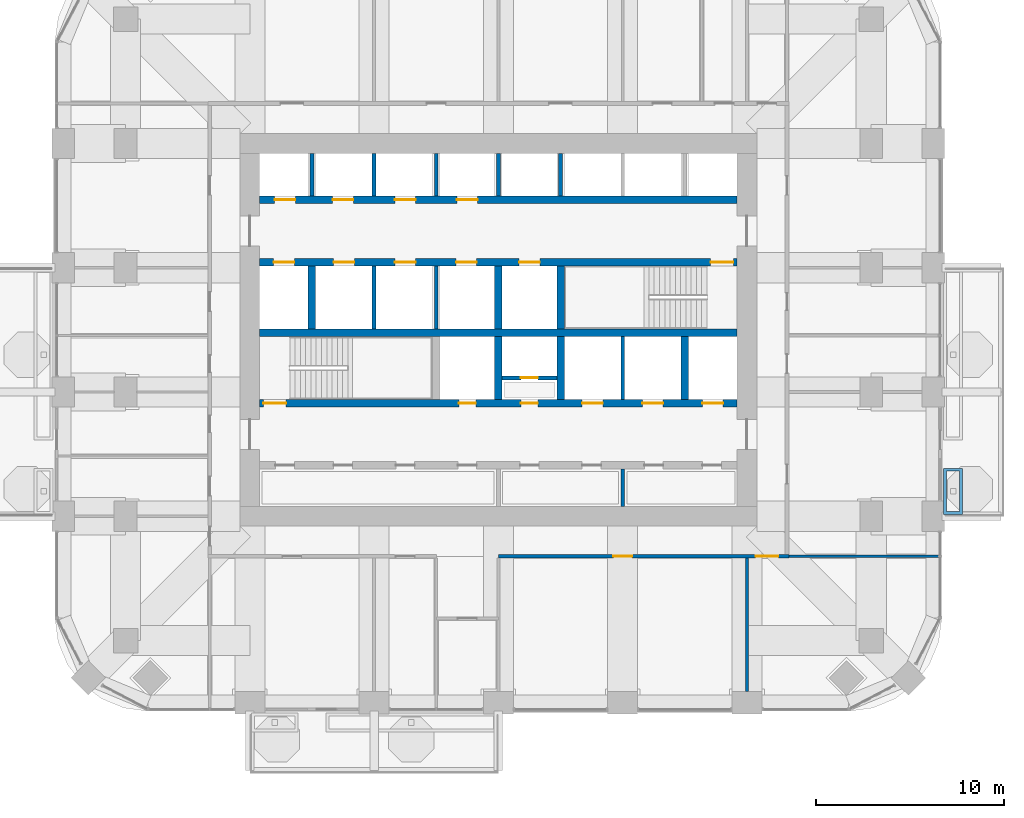
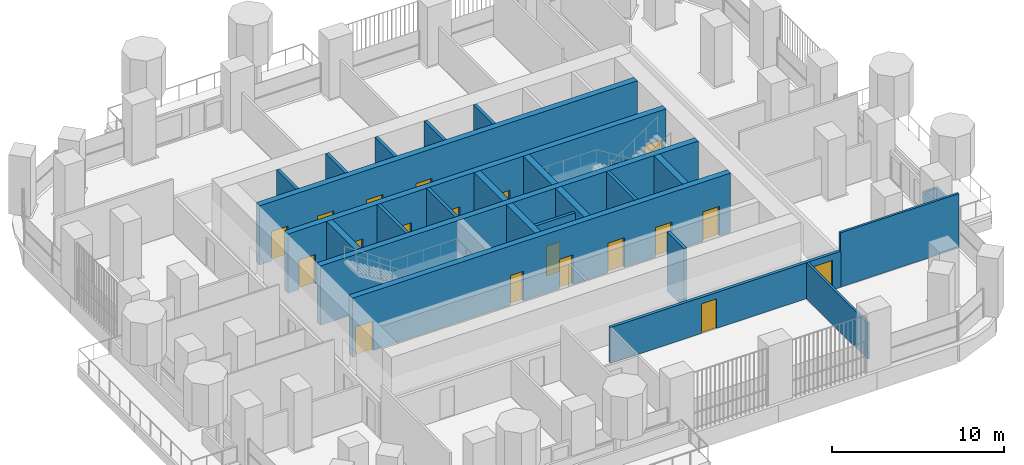
# One storey, part 13 of 20: 24 walls, 19 doors, 19 openings.
"""IFC4 building model written with IfcOpenShell, lengths in metres."""

from ifc_helpers import new_model, si_unit, direction, frame, frame_2d, origin, place, context, subcontext, project, spatial, polyline, rectangle, outline, extrude, material, layer, layer_set, type_object, element, fill, save


model = new_model("IFC4")

# Units and contexts
model_context = context("Model", 3, precision=1e-05, world=origin(), true_north=direction((0.0, 1.0)))
body_context = subcontext(model_context, "Body", "Model", "MODEL_VIEW")
ifc_project = project(units=[si_unit("LENGTHUNIT", "METRE"), si_unit("AREAUNIT", "SQUARE_METRE"), si_unit("VOLUMEUNIT", "CUBIC_METRE"), si_unit("PLANEANGLEUNIT", "RADIAN"), si_unit("MASSUNIT", "GRAM", prefix="KILO")], contexts=[model_context])

# Site, building, storey
site_placement = place(None, origin())
site = spatial("IfcSite", under=ifc_project, at=site_placement, CompositionType="ELEMENT")
building_placement = place(site_placement, origin())
building = spatial("IfcBuilding", under=site, at=building_placement, Name="Cobogo Forest Laboratory Tower", CompositionType="ELEMENT")
storey_placement = place(building_placement, frame((0.0, 0.0, 218.699951171875)))
storey = spatial("IfcBuildingStorey", under=building, at=storey_placement, Name="L50", CompositionType="ELEMENT", Elevation=218.699951171875)

# Wall, openings, doors
ifc_material_1 = material(Name="Concrete HA-50 (C50/60)", Category="concrete")
ifc_layer_1 = layer(ifc_material_1, 0.39990234375)
ifc_layer_set_1 = layer_set([ifc_layer_1], Name="CI400 core inner wall 400")
wall_type_1 = type_object("IfcWallType", Name="CI400 core inner wall 400", PredefinedType="SHEAR", material=ifc_layer_set_1)
wall_1_placement = place(storey_placement, frame((13.72509765625, 19.199951171875, 0.0), z_axis=(0.0, 0.0, 1.0), x_axis=(1.0, 0.0, 0.0)))
wall_1 = element("IfcWall", 1, at=wall_1_placement, inside=storey, type_object=wall_type_1, Name="Core wall CI-19.2 L50", PredefinedType="SHEAR", context=body_context, shape_type="SweptSolid", body=[
    extrude(rectangle(XDim=25.349853515625, YDim=0.39990234375, at=frame_2d((12.6748046875, 0.0))), origin(), (0.0, 0.0, 1.0), 4.199951171875),
])
opening_1_placement = place(wall_1_placement, frame((10.574951171875, 0.0, 0.0)))
opening_1 = element("IfcOpeningElement", 2, at=opening_1_placement, cuts=wall_1, Name="Opening L50-D24", PredefinedType="OPENING", context=body_context, shape_type="SweptSolid", body=[
    extrude(rectangle(XDim=0.89990234375, YDim=2.10009765625, at=frame_2d((0.449951171875, 1.050048828125))), frame((0.0, 0.2099609375, 0.0), z_axis=(0.0, -1.0, 0.0), x_axis=(1.0, 0.0, 0.0)), (0.0, 0.0, 1.0), 0.419921875),
])
opening_2_placement = place(wall_1_placement, frame((13.875, 0.0, 0.0)))
opening_2 = element("IfcOpeningElement", 3, at=opening_2_placement, cuts=wall_1, Name="Opening L50-D25", PredefinedType="OPENING", context=body_context, shape_type="SweptSolid", body=[
    extrude(rectangle(XDim=0.89990234375, YDim=2.10009765625, at=frame_2d((0.449951171875, 1.050048828125))), frame((0.0, 0.2099609375, 0.0), z_axis=(0.0, -1.0, 0.0), x_axis=(1.0, 0.0, 0.0)), (0.0, 0.0, 1.0), 0.419921875),
])
opening_3_placement = place(wall_1_placement, frame((0.199951171875, 0.0, 0.0)))
opening_3 = element("IfcOpeningElement", 4, at=opening_3_placement, cuts=wall_1, Name="Opening L50-D23", PredefinedType="OPENING", context=body_context, shape_type="SweptSolid", body=[
    extrude(rectangle(XDim=1.199951171875, YDim=2.10009765625, at=frame_2d((0.60009765625, 1.050048828125))), frame((0.0, 0.2099609375, 0.0), z_axis=(0.0, -1.0, 0.0), x_axis=(1.0, 0.0, 0.0)), (0.0, 0.0, 1.0), 0.419921875),
])
opening_4_placement = place(wall_1_placement, frame((23.512451171875, 0.0, 0.0)))
opening_4 = element("IfcOpeningElement", 5, at=opening_4_placement, cuts=wall_1, Name="Opening L50-LD-FL2", PredefinedType="OPENING", context=body_context, shape_type="SweptSolid", body=[
    extrude(rectangle(XDim=1.10009765625, YDim=2.10009765625, at=frame_2d((0.550048828125, 1.050048828125))), frame((0.0, 0.2099609375, 0.0), z_axis=(0.0, -1.0, 0.0), x_axis=(1.0, 0.0, 0.0)), (0.0, 0.0, 1.0), 0.419921875),
])
opening_5_placement = place(wall_1_placement, frame((17.125, 0.0, 0.0)))
opening_5 = element("IfcOpeningElement", 6, at=opening_5_placement, cuts=wall_1, Name="Opening L50-LD-LS1", PredefinedType="OPENING", context=body_context, shape_type="SweptSolid", body=[
    extrude(rectangle(XDim=1.10009765625, YDim=2.10009765625, at=frame_2d((0.550048828125, 1.050048828125))), frame((0.0, 0.2099609375, 0.0), z_axis=(0.0, -1.0, 0.0), x_axis=(1.0, 0.0, 0.0)), (0.0, 0.0, 1.0), 0.419921875),
])
opening_6_placement = place(wall_1_placement, frame((20.324951171875, 0.0, 0.0)))
opening_6 = element("IfcOpeningElement", 7, at=opening_6_placement, cuts=wall_1, Name="Opening L50-LD-LS2", PredefinedType="OPENING", context=body_context, shape_type="SweptSolid", body=[
    extrude(rectangle(XDim=1.10009765625, YDim=2.10009765625, at=frame_2d((0.550048828125, 1.050048828125))), frame((0.0, 0.2099609375, 0.0), z_axis=(0.0, -1.0, 0.0), x_axis=(1.0, 0.0, 0.0)), (0.0, 0.0, 1.0), 0.419921875),
])
ifc_material_2 = material(Name="Steel fire door", Category="steel")
door_type_1 = type_object("IfcDoorType", Name="DS1 protected stair door 1200 EI2 60", OperationType="SINGLE_SWING_LEFT", PredefinedType="DOOR", material=ifc_material_2)
door_1_placement = place(opening_3_placement, origin())
door_1 = element("IfcDoor", 8, at=door_1_placement, inside=storey, type_object=door_type_1, Name="Door L50-ST1", OperationType="SINGLE_SWING_LEFT", OverallHeight=2.10009765625, OverallWidth=1.199951171875, PredefinedType="DOOR", context=body_context, shape_type="SweptSolid", body=[
    extrude(rectangle(XDim=1.199951171875, YDim=2.10009765625, at=frame_2d((0.60009765625, 1.050048828125))), frame((0.0, 0.02490234375, 0.0), z_axis=(0.0, -1.0, 0.0), x_axis=(1.0, 0.0, 0.0)), (0.0, 0.0, 1.0), 0.050048828125),
])
fill(opening_3, door_1)
door_type_2 = type_object("IfcDoorType", Name="FD4 riser access door 900 EI2 60", OperationType="SINGLE_SWING_LEFT", PredefinedType="DOOR", material=ifc_material_2)
door_2_placement = place(opening_1_placement, origin())
door_2 = element("IfcDoor", 9, at=door_2_placement, inside=storey, type_object=door_type_2, Name="Door L50-R1", OperationType="SINGLE_SWING_LEFT", OverallHeight=2.10009765625, OverallWidth=0.89990234375, PredefinedType="DOOR", context=body_context, shape_type="SweptSolid", body=[
    extrude(rectangle(XDim=0.89990234375, YDim=2.10009765625, at=frame_2d((0.449951171875, 1.050048828125))), frame((0.0, 0.02490234375, 0.0), z_axis=(0.0, -1.0, 0.0), x_axis=(1.0, 0.0, 0.0)), (0.0, 0.0, 1.0), 0.050048828125),
])
fill(opening_1, door_2)
door_3_placement = place(opening_2_placement, origin())
door_3 = element("IfcDoor", 10, at=door_3_placement, inside=storey, type_object=door_type_2, Name="Door L50-R2V", OperationType="SINGLE_SWING_RIGHT", OverallHeight=2.10009765625, OverallWidth=0.89990234375, PredefinedType="DOOR", context=body_context, shape_type="SweptSolid", body=[
    extrude(rectangle(XDim=0.89990234375, YDim=2.10009765625, at=frame_2d((0.449951171875, 1.050048828125))), frame((0.0, 0.02490234375, 0.0), z_axis=(0.0, -1.0, 0.0), x_axis=(1.0, 0.0, 0.0)), (0.0, 0.0, 1.0), 0.050048828125),
])
fill(opening_2, door_3)
ifc_material_3 = material(Name="Stainless steel lift door", Category="steel")
door_type_3 = type_object("IfcDoorType", Name="LD lift landing door 1100", OperationType="DOUBLE_DOOR_SLIDING", PredefinedType="DOOR", material=ifc_material_3)
door_4_placement = place(opening_4_placement, origin())
door_4 = element("IfcDoor", 11, at=door_4_placement, inside=storey, type_object=door_type_3, Name="Lift landing door FL2 L50", OperationType="DOUBLE_DOOR_SLIDING", OverallHeight=2.10009765625, OverallWidth=1.10009765625, PredefinedType="DOOR", context=body_context, shape_type="SweptSolid", body=[
    extrude(rectangle(XDim=1.10009765625, YDim=2.10009765625, at=frame_2d((0.550048828125, 1.050048828125))), frame((0.0, 0.02490234375, 0.0), z_axis=(0.0, -1.0, 0.0), x_axis=(1.0, 0.0, 0.0)), (0.0, 0.0, 1.0), 0.050048828125),
])
fill(opening_4, door_4)
door_5_placement = place(opening_5_placement, origin())
door_5 = element("IfcDoor", 12, at=door_5_placement, inside=storey, type_object=door_type_3, Name="Lift landing door LS1 L50", OperationType="DOUBLE_DOOR_SLIDING", OverallHeight=2.10009765625, OverallWidth=1.10009765625, PredefinedType="DOOR", context=body_context, shape_type="SweptSolid", body=[
    extrude(rectangle(XDim=1.10009765625, YDim=2.10009765625, at=frame_2d((0.550048828125, 1.050048828125))), frame((0.0, 0.02490234375, 0.0), z_axis=(0.0, -1.0, 0.0), x_axis=(1.0, 0.0, 0.0)), (0.0, 0.0, 1.0), 0.050048828125),
])
fill(opening_5, door_5)
door_6_placement = place(opening_6_placement, origin())
door_6 = element("IfcDoor", 13, at=door_6_placement, inside=storey, type_object=door_type_3, Name="Lift landing door LS2 L50", OperationType="DOUBLE_DOOR_SLIDING", OverallHeight=2.10009765625, OverallWidth=1.10009765625, PredefinedType="DOOR", context=body_context, shape_type="SweptSolid", body=[
    extrude(rectangle(XDim=1.10009765625, YDim=2.10009765625, at=frame_2d((0.550048828125, 1.050048828125))), frame((0.0, 0.02490234375, 0.0), z_axis=(0.0, -1.0, 0.0), x_axis=(1.0, 0.0, 0.0)), (0.0, 0.0, 1.0), 0.050048828125),
])
fill(opening_6, door_6)

# Wall
wall_2_placement = place(storey_placement, frame((13.72509765625, 22.949951171875, 0.0), z_axis=(0.0, 0.0, 1.0), x_axis=(1.0, 0.0, 0.0)))
element("IfcWall", 14, at=wall_2_placement, inside=storey, type_object=wall_type_1, Name="Core wall CI-22.95 L50", PredefinedType="SHEAR", context=body_context, shape_type="SweptSolid", body=[
    extrude(rectangle(XDim=25.349853515625, YDim=0.39990234375, at=frame_2d((12.6748046875, 0.0))), origin(), (0.0, 0.0, 1.0), 4.199951171875),
])

# Wall, openings, doors
wall_3_placement = place(storey_placement, frame((13.72509765625, 26.699951171875, 0.0), z_axis=(0.0, 0.0, 1.0), x_axis=(1.0, 0.0, 0.0)))
wall_3 = element("IfcWall", 15, at=wall_3_placement, inside=storey, type_object=wall_type_1, Name="Core wall CI-26.7 L50", PredefinedType="SHEAR", context=body_context, shape_type="SweptSolid", body=[
    extrude(rectangle(XDim=25.349853515625, YDim=0.39990234375, at=frame_2d((12.6748046875, 0.0))), origin(), (0.0, 0.0, 1.0), 4.199951171875),
])
opening_7_placement = place(wall_3_placement, frame((23.949951171875, 0.0, 0.0)))
opening_7 = element("IfcOpeningElement", 16, at=opening_7_placement, cuts=wall_3, Name="Opening L50-D31", PredefinedType="OPENING", context=body_context, shape_type="SweptSolid", body=[
    extrude(rectangle(XDim=1.199951171875, YDim=2.10009765625, at=frame_2d((0.60009765625, 1.050048828125))), frame((0.0, 0.2099609375, 0.0), z_axis=(0.0, -1.0, 0.0), x_axis=(1.0, 0.0, 0.0)), (0.0, 0.0, 1.0), 0.419921875),
])
opening_8_placement = place(wall_3_placement, frame((0.737548828125, 0.0, 0.0)))
opening_8 = element("IfcOpeningElement", 17, at=opening_8_placement, cuts=wall_3, Name="Opening L50-LD-FL1", PredefinedType="OPENING", context=body_context, shape_type="SweptSolid", body=[
    extrude(rectangle(XDim=1.10009765625, YDim=2.10009765625, at=frame_2d((0.550048828125, 1.050048828125))), frame((0.0, 0.2099609375, 0.0), z_axis=(0.0, -1.0, 0.0), x_axis=(1.0, 0.0, 0.0)), (0.0, 0.0, 1.0), 0.419921875),
])
opening_9_placement = place(wall_3_placement, frame((3.925048828125, 0.0, 0.0)))
opening_9 = element("IfcOpeningElement", 18, at=opening_9_placement, cuts=wall_3, Name="Opening L50-LD-LS3", PredefinedType="OPENING", context=body_context, shape_type="SweptSolid", body=[
    extrude(rectangle(XDim=1.10009765625, YDim=2.10009765625, at=frame_2d((0.550048828125, 1.050048828125))), frame((0.0, 0.2099609375, 0.0), z_axis=(0.0, -1.0, 0.0), x_axis=(1.0, 0.0, 0.0)), (0.0, 0.0, 1.0), 0.419921875),
])
opening_10_placement = place(wall_3_placement, frame((7.175048828125, 0.0, 0.0)))
opening_10 = element("IfcOpeningElement", 19, at=opening_10_placement, cuts=wall_3, Name="Opening L50-LD-LS4", PredefinedType="OPENING", context=body_context, shape_type="SweptSolid", body=[
    extrude(rectangle(XDim=1.10009765625, YDim=2.10009765625, at=frame_2d((0.550048828125, 1.050048828125))), frame((0.0, 0.2099609375, 0.0), z_axis=(0.0, -1.0, 0.0), x_axis=(1.0, 0.0, 0.0)), (0.0, 0.0, 1.0), 0.419921875),
])
opening_11_placement = place(wall_3_placement, frame((10.425048828125, 0.0, 0.0)))
opening_11 = element("IfcOpeningElement", 20, at=opening_11_placement, cuts=wall_3, Name="Opening L50-LD-LS5", PredefinedType="OPENING", context=body_context, shape_type="SweptSolid", body=[
    extrude(rectangle(XDim=1.10009765625, YDim=2.10009765625, at=frame_2d((0.550048828125, 1.050048828125))), frame((0.0, 0.2099609375, 0.0), z_axis=(0.0, -1.0, 0.0), x_axis=(1.0, 0.0, 0.0)), (0.0, 0.0, 1.0), 0.419921875),
])
opening_12_placement = place(wall_3_placement, frame((13.77490234375, 0.0, 0.0)))
opening_12 = element("IfcOpeningElement", 21, at=opening_12_placement, cuts=wall_3, Name="Opening L50-LD-LS6", PredefinedType="OPENING", context=body_context, shape_type="SweptSolid", body=[
    extrude(rectangle(XDim=1.10009765625, YDim=2.10009765625, at=frame_2d((0.550048828125, 1.050048828125))), frame((0.0, 0.2099609375, 0.0), z_axis=(0.0, -1.0, 0.0), x_axis=(1.0, 0.0, 0.0)), (0.0, 0.0, 1.0), 0.419921875),
])
door_7_placement = place(opening_7_placement, origin())
door_7 = element("IfcDoor", 22, at=door_7_placement, inside=storey, type_object=door_type_1, Name="Door L50-ST2", OperationType="SINGLE_SWING_RIGHT", OverallHeight=2.10009765625, OverallWidth=1.199951171875, PredefinedType="DOOR", context=body_context, shape_type="SweptSolid", body=[
    extrude(rectangle(XDim=1.199951171875, YDim=2.10009765625, at=frame_2d((0.60009765625, 1.050048828125))), frame((0.0, 0.02490234375, 0.0), z_axis=(0.0, -1.0, 0.0), x_axis=(1.0, 0.0, 0.0)), (0.0, 0.0, 1.0), 0.050048828125),
])
fill(opening_7, door_7)
door_8_placement = place(opening_8_placement, origin())
door_8 = element("IfcDoor", 23, at=door_8_placement, inside=storey, type_object=door_type_3, Name="Lift landing door FL1 L50", OperationType="DOUBLE_DOOR_SLIDING", OverallHeight=2.10009765625, OverallWidth=1.10009765625, PredefinedType="DOOR", context=body_context, shape_type="SweptSolid", body=[
    extrude(rectangle(XDim=1.10009765625, YDim=2.10009765625, at=frame_2d((0.550048828125, 1.050048828125))), frame((0.0, 0.02490234375, 0.0), z_axis=(0.0, -1.0, 0.0), x_axis=(1.0, 0.0, 0.0)), (0.0, 0.0, 1.0), 0.050048828125),
])
fill(opening_8, door_8)
door_9_placement = place(opening_9_placement, origin())
door_9 = element("IfcDoor", 24, at=door_9_placement, inside=storey, type_object=door_type_3, Name="Lift landing door LS3 L50", OperationType="DOUBLE_DOOR_SLIDING", OverallHeight=2.10009765625, OverallWidth=1.10009765625, PredefinedType="DOOR", context=body_context, shape_type="SweptSolid", body=[
    extrude(rectangle(XDim=1.10009765625, YDim=2.10009765625, at=frame_2d((0.550048828125, 1.050048828125))), frame((0.0, 0.02490234375, 0.0), z_axis=(0.0, -1.0, 0.0), x_axis=(1.0, 0.0, 0.0)), (0.0, 0.0, 1.0), 0.050048828125),
])
fill(opening_9, door_9)
door_10_placement = place(opening_10_placement, origin())
door_10 = element("IfcDoor", 25, at=door_10_placement, inside=storey, type_object=door_type_3, Name="Lift landing door LS4 L50", OperationType="DOUBLE_DOOR_SLIDING", OverallHeight=2.10009765625, OverallWidth=1.10009765625, PredefinedType="DOOR", context=body_context, shape_type="SweptSolid", body=[
    extrude(rectangle(XDim=1.10009765625, YDim=2.10009765625, at=frame_2d((0.550048828125, 1.050048828125))), frame((0.0, 0.02490234375, 0.0), z_axis=(0.0, -1.0, 0.0), x_axis=(1.0, 0.0, 0.0)), (0.0, 0.0, 1.0), 0.050048828125),
])
fill(opening_10, door_10)
door_11_placement = place(opening_11_placement, origin())
door_11 = element("IfcDoor", 26, at=door_11_placement, inside=storey, type_object=door_type_3, Name="Lift landing door LS5 L50", OperationType="DOUBLE_DOOR_SLIDING", OverallHeight=2.10009765625, OverallWidth=1.10009765625, PredefinedType="DOOR", context=body_context, shape_type="SweptSolid", body=[
    extrude(rectangle(XDim=1.10009765625, YDim=2.10009765625, at=frame_2d((0.550048828125, 1.050048828125))), frame((0.0, 0.02490234375, 0.0), z_axis=(0.0, -1.0, 0.0), x_axis=(1.0, 0.0, 0.0)), (0.0, 0.0, 1.0), 0.050048828125),
])
fill(opening_11, door_11)
door_12_placement = place(opening_12_placement, origin())
door_12 = element("IfcDoor", 27, at=door_12_placement, inside=storey, type_object=door_type_3, Name="Lift landing door LS6 L50", OperationType="DOUBLE_DOOR_SLIDING", OverallHeight=2.10009765625, OverallWidth=1.10009765625, PredefinedType="DOOR", context=body_context, shape_type="SweptSolid", body=[
    extrude(rectangle(XDim=1.10009765625, YDim=2.10009765625, at=frame_2d((0.550048828125, 1.050048828125))), frame((0.0, 0.02490234375, 0.0), z_axis=(0.0, -1.0, 0.0), x_axis=(1.0, 0.0, 0.0)), (0.0, 0.0, 1.0), 0.050048828125),
])
fill(opening_12, door_12)

wall_4_placement = place(storey_placement, frame((13.72509765625, 30.0, 0.0), z_axis=(0.0, 0.0, 1.0), x_axis=(1.0, 0.0, 0.0)))
wall_4 = element("IfcWall", 28, at=wall_4_placement, inside=storey, type_object=wall_type_1, Name="Core wall CI-30.0 L50", PredefinedType="SHEAR", context=body_context, shape_type="SweptSolid", body=[
    extrude(rectangle(XDim=25.349853515625, YDim=0.39990234375, at=frame_2d((12.6748046875, 0.0))), origin(), (0.0, 0.0, 1.0), 4.199951171875),
])
opening_13_placement = place(wall_4_placement, frame((0.78759765625, 0.0, 0.0)))
opening_13 = element("IfcOpeningElement", 29, at=opening_13_placement, cuts=wall_4, Name="Opening L50-LD-LC1", PredefinedType="OPENING", context=body_context, shape_type="SweptSolid", body=[
    extrude(rectangle(XDim=1.10009765625, YDim=2.10009765625, at=frame_2d((0.550048828125, 1.050048828125))), frame((0.0, 0.2099609375, 0.0), z_axis=(0.0, -1.0, 0.0), x_axis=(1.0, 0.0, 0.0)), (0.0, 0.0, 1.0), 0.419921875),
])
opening_14_placement = place(wall_4_placement, frame((3.875, 0.0, 0.0)))
opening_14 = element("IfcOpeningElement", 30, at=opening_14_placement, cuts=wall_4, Name="Opening L50-LD-LC2", PredefinedType="OPENING", context=body_context, shape_type="SweptSolid", body=[
    extrude(rectangle(XDim=1.10009765625, YDim=2.10009765625, at=frame_2d((0.550048828125, 1.050048828125))), frame((0.0, 0.2099609375, 0.0), z_axis=(0.0, -1.0, 0.0), x_axis=(1.0, 0.0, 0.0)), (0.0, 0.0, 1.0), 0.419921875),
])
opening_15_placement = place(wall_4_placement, frame((7.175048828125, 0.0, 0.0)))
opening_15 = element("IfcOpeningElement", 31, at=opening_15_placement, cuts=wall_4, Name="Opening L50-LD-LC3", PredefinedType="OPENING", context=body_context, shape_type="SweptSolid", body=[
    extrude(rectangle(XDim=1.10009765625, YDim=2.10009765625, at=frame_2d((0.550048828125, 1.050048828125))), frame((0.0, 0.2099609375, 0.0), z_axis=(0.0, -1.0, 0.0), x_axis=(1.0, 0.0, 0.0)), (0.0, 0.0, 1.0), 0.419921875),
])
opening_16_placement = place(wall_4_placement, frame((10.47509765625, 0.0, 0.0)))
opening_16 = element("IfcOpeningElement", 32, at=opening_16_placement, cuts=wall_4, Name="Opening L50-LD-LC4", PredefinedType="OPENING", context=body_context, shape_type="SweptSolid", body=[
    extrude(rectangle(XDim=1.10009765625, YDim=2.10009765625, at=frame_2d((0.550048828125, 1.050048828125))), frame((0.0, 0.2099609375, 0.0), z_axis=(0.0, -1.0, 0.0), x_axis=(1.0, 0.0, 0.0)), (0.0, 0.0, 1.0), 0.419921875),
])
door_13_placement = place(opening_13_placement, origin())
door_13 = element("IfcDoor", 33, at=door_13_placement, inside=storey, type_object=door_type_3, Name="Lift landing door LC1 L50", OperationType="DOUBLE_DOOR_SLIDING", OverallHeight=2.10009765625, OverallWidth=1.10009765625, PredefinedType="DOOR", context=body_context, shape_type="SweptSolid", body=[
    extrude(rectangle(XDim=1.10009765625, YDim=2.10009765625, at=frame_2d((0.550048828125, 1.050048828125))), frame((0.0, 0.02490234375, 0.0), z_axis=(0.0, -1.0, 0.0), x_axis=(1.0, 0.0, 0.0)), (0.0, 0.0, 1.0), 0.050048828125),
])
fill(opening_13, door_13)
door_14_placement = place(opening_14_placement, origin())
door_14 = element("IfcDoor", 34, at=door_14_placement, inside=storey, type_object=door_type_3, Name="Lift landing door LC2 L50", OperationType="DOUBLE_DOOR_SLIDING", OverallHeight=2.10009765625, OverallWidth=1.10009765625, PredefinedType="DOOR", context=body_context, shape_type="SweptSolid", body=[
    extrude(rectangle(XDim=1.10009765625, YDim=2.10009765625, at=frame_2d((0.550048828125, 1.050048828125))), frame((0.0, 0.02490234375, 0.0), z_axis=(0.0, -1.0, 0.0), x_axis=(1.0, 0.0, 0.0)), (0.0, 0.0, 1.0), 0.050048828125),
])
fill(opening_14, door_14)
door_15_placement = place(opening_15_placement, origin())
door_15 = element("IfcDoor", 35, at=door_15_placement, inside=storey, type_object=door_type_3, Name="Lift landing door LC3 L50", OperationType="DOUBLE_DOOR_SLIDING", OverallHeight=2.10009765625, OverallWidth=1.10009765625, PredefinedType="DOOR", context=body_context, shape_type="SweptSolid", body=[
    extrude(rectangle(XDim=1.10009765625, YDim=2.10009765625, at=frame_2d((0.550048828125, 1.050048828125))), frame((0.0, 0.02490234375, 0.0), z_axis=(0.0, -1.0, 0.0), x_axis=(1.0, 0.0, 0.0)), (0.0, 0.0, 1.0), 0.050048828125),
])
fill(opening_15, door_15)
door_16_placement = place(opening_16_placement, origin())
door_16 = element("IfcDoor", 36, at=door_16_placement, inside=storey, type_object=door_type_3, Name="Lift landing door LC4 L50", OperationType="DOUBLE_DOOR_SLIDING", OverallHeight=2.10009765625, OverallWidth=1.10009765625, PredefinedType="DOOR", context=body_context, shape_type="SweptSolid", body=[
    extrude(rectangle(XDim=1.10009765625, YDim=2.10009765625, at=frame_2d((0.550048828125, 1.050048828125))), frame((0.0, 0.02490234375, 0.0), z_axis=(0.0, -1.0, 0.0), x_axis=(1.0, 0.0, 0.0)), (0.0, 0.0, 1.0), 0.050048828125),
])
fill(opening_16, door_16)

# Walls
for number, where, z_axis, x_axis, name in (
    (37, (26.39990234375, 19.39990234375, 0.0), (0.0, 0.0, 1.0), (0.0, 1.0, 0.0), "Core wall CX-26.4S L50"),
    (38, (29.699951171875, 19.39990234375, 0.0), (0.0, 0.0, 1.0), (0.0, 1.0, 0.0), "Core wall CX-29.7S L50"),
    (39, (36.300048828125, 19.39990234375, 0.0), (0.0, 0.0, 1.0), (0.0, 1.0, 0.0), "Core wall CX-36.3 L50"),
    (40, (16.5, 23.14990234375, 0.0), (0.0, 0.0, 1.0), (0.0, 1.0, 0.0), "Core wall CX-16.5 L50"),
    (41, (26.39990234375, 23.14990234375, 0.0), (0.0, 0.0, 1.0), (0.0, 1.0, 0.0), "Core wall CX-26.4N L50"),
    (42, (29.699951171875, 23.14990234375, 0.0), (0.0, 0.0, 1.0), (0.0, 1.0, 0.0), "Core wall CX-29.7N L50"),
):
    element("IfcWall", number, at=place(storey_placement, frame(where, z_axis=z_axis, x_axis=x_axis)), inside=storey, type_object=wall_type_1, Name=name, PredefinedType="SHEAR", context=body_context, shape_type="SweptSolid", body=[
        extrude(rectangle(XDim=3.35009765625, YDim=0.39990234375, at=frame_2d((1.675048828125, 0.0))), origin(), (0.0, 0.0, 1.0), 4.199951171875),
    ])
ifc_material_4 = material(Name="Gypsum board on steel studs", Category="steel")
ifc_layer_2 = layer(ifc_material_4, 0.14990234375)
ifc_layer_set_2 = layer_set([ifc_layer_2], Name="PT1 laboratory partition 150")
wall_type_2 = type_object("IfcWallType", Name="PT1 laboratory partition 150", PredefinedType="PARTITIONING", material=ifc_layer_set_2)
wall_5_placement = place(storey_placement, frame((49.77001953125, 11.074951171875, 0.0), z_axis=(0.0, 0.0, 1.0), x_axis=(-1.0, 0.0, 0.0)))
element("IfcWall", 43, at=wall_5_placement, inside=storey, type_object=wall_type_2, Name="Partition PW-SE L50", PredefinedType="PARTITIONING", context=body_context, shape_type="SweptSolid", body=[
    extrude(rectangle(XDim=7.945068359375, YDim=0.14990234375, at=frame_2d((3.97265625, 0.0))), origin(), (0.0, 0.0, 1.0), 3.85009765625),
])
wall_6_placement = place(storey_placement, frame((39.60009765625, 3.89990234375, 0.0), z_axis=(0.0, 0.0, 1.0), x_axis=(0.0, 1.0, 0.0)))
element("IfcWall", 44, at=wall_6_placement, inside=storey, type_object=wall_type_2, Name="Partition CUT-S39.6-1 L50", PredefinedType="PARTITIONING", context=body_context, shape_type="SweptSolid", body=[
    extrude(rectangle(XDim=7.0751953125, YDim=0.14990234375, at=frame_2d((3.53759765625, 0.0))), origin(), (0.0, 0.0, 1.0), 2.550048828125),
])

# Wall, openings, doors
ifc_layer_3 = layer(ifc_material_4, 0.199951171875)
ifc_layer_set_3 = layer_set([ifc_layer_3], Name="PT2 fire-rated corridor partition 200")
wall_type_3 = type_object("IfcWallType", Name="PT2 fire-rated corridor partition 200", PredefinedType="PARTITIONING", material=ifc_layer_set_3)
wall_7_placement = place(storey_placement, frame((26.39990234375, 11.074951171875, 0.0), z_axis=(0.0, 0.0, 1.0), x_axis=(1.0, 0.0, 0.0)))
wall_7 = element("IfcWall", 45, at=wall_7_placement, inside=storey, type_object=wall_type_3, Name="Partition CORR-S-2 L50", PredefinedType="PARTITIONING", context=body_context, shape_type="SweptSolid", body=[
    extrude(rectangle(XDim=15.425048828125, YDim=0.199951171875, at=frame_2d((7.71240234375, 0.0))), origin(), (0.0, 0.0, 1.0), 2.550048828125),
])
opening_17_placement = place(wall_7_placement, frame((6.10009765625, 0.0, 0.0)))
opening_17 = element("IfcOpeningElement", 46, at=opening_17_placement, cuts=wall_7, Name="Opening L50-D05", PredefinedType="OPENING", context=body_context, shape_type="SweptSolid", body=[
    extrude(rectangle(XDim=1.0, YDim=2.10009765625, at=frame_2d((0.5, 1.050048828125))), frame((0.0, 0.10986328125, 0.0), z_axis=(0.0, -1.0, 0.0), x_axis=(1.0, 0.0, 0.0)), (0.0, 0.0, 1.0), 0.219970703125),
])
opening_18_placement = place(wall_7_placement, frame((13.66259765625, 0.0, 0.0)))
opening_18 = element("IfcOpeningElement", 47, at=opening_18_placement, cuts=wall_7, Name="Opening L50-D06", PredefinedType="OPENING", context=body_context, shape_type="SweptSolid", body=[
    extrude(rectangle(XDim=1.199951171875, YDim=2.10009765625, at=frame_2d((0.60009765625, 1.050048828125))), frame((0.0, 0.10986328125, 0.0), z_axis=(0.0, -1.0, 0.0), x_axis=(1.0, 0.0, 0.0)), (0.0, 0.0, 1.0), 0.219970703125),
])
ifc_material_5 = material(Name="Timber door", Category="wood")
door_type_4 = type_object("IfcDoorType", Name="D2 laboratory door 1200 unequal pair", OperationType="DOUBLE_DOOR_SINGLE_SWING", PredefinedType="DOOR", material=ifc_material_5)
door_17_placement = place(opening_18_placement, origin())
door_17 = element("IfcDoor", 48, at=door_17_placement, inside=storey, type_object=door_type_4, Name="Door L50-S5", OperationType="DOUBLE_DOOR_SINGLE_SWING", OverallHeight=2.10009765625, OverallWidth=1.199951171875, PredefinedType="DOOR", context=body_context, shape_type="SweptSolid", body=[
    extrude(rectangle(XDim=1.199951171875, YDim=2.10009765625, at=frame_2d((0.60009765625, 1.050048828125))), frame((0.0, 0.02490234375, 0.0), z_axis=(0.0, -1.0, 0.0), x_axis=(1.0, 0.0, 0.0)), (0.0, 0.0, 1.0), 0.050048828125),
])
fill(opening_18, door_17)
ifc_material_6 = material(Name="Timber fire door", Category="wood")
door_type_5 = type_object("IfcDoorType", Name="FD2 fire door 1000 EI2 30", OperationType="SINGLE_SWING_LEFT", PredefinedType="DOOR", material=ifc_material_6)
door_18_placement = place(opening_17_placement, origin())
door_18 = element("IfcDoor", 49, at=door_18_placement, inside=storey, type_object=door_type_5, Name="Door L50-S4", OperationType="SINGLE_SWING_LEFT", OverallHeight=2.10009765625, OverallWidth=1.0, PredefinedType="DOOR", context=body_context, shape_type="SweptSolid", body=[
    extrude(rectangle(XDim=1.0, YDim=2.10009765625, at=frame_2d((0.5, 1.050048828125))), frame((0.0, 0.02490234375, 0.0), z_axis=(0.0, -1.0, 0.0), x_axis=(1.0, 0.0, 0.0)), (0.0, 0.0, 1.0), 0.050048828125),
])
fill(opening_17, door_18)

# Wall, opening, door
wall_8_placement = place(storey_placement, frame((26.60009765625, 20.550048828125, 0.0), z_axis=(0.0, 0.0, 1.0), x_axis=(1.0, 0.0, 0.0)))
wall_8 = element("IfcWall", 50, at=wall_8_placement, inside=storey, type_object=wall_type_3, Name="Partition RSPLIT-R2 L50", PredefinedType="PARTITIONING", context=body_context, shape_type="SweptSolid", body=[
    extrude(rectangle(XDim=2.89990234375, YDim=0.199951171875, at=frame_2d((1.449951171875, 0.0))), origin(), (0.0, 0.0, 1.0), 3.85009765625),
])
opening_19_placement = place(wall_8_placement, frame((1.0, 0.0, 0.0)))
opening_19 = element("IfcOpeningElement", 51, at=opening_19_placement, cuts=wall_8, Name="Opening L50-D26", PredefinedType="OPENING", context=body_context, shape_type="SweptSolid", body=[
    extrude(rectangle(XDim=0.89990234375, YDim=2.10009765625, at=frame_2d((0.449951171875, 1.050048828125))), frame((0.0, 0.10986328125, 0.0), z_axis=(0.0, -1.0, 0.0), x_axis=(1.0, 0.0, 0.0)), (0.0, 0.0, 1.0), 0.219970703125),
])
door_19_placement = place(opening_19_placement, origin())
door_19 = element("IfcDoor", 52, at=door_19_placement, inside=storey, type_object=door_type_2, Name="Door L50-R2", OperationType="SINGLE_SWING_RIGHT", OverallHeight=2.10009765625, OverallWidth=0.89990234375, PredefinedType="DOOR", context=body_context, shape_type="SweptSolid", body=[
    extrude(rectangle(XDim=0.89990234375, YDim=2.10009765625, at=frame_2d((0.449951171875, 1.050048828125))), frame((0.0, 0.02490234375, 0.0), z_axis=(0.0, -1.0, 0.0), x_axis=(1.0, 0.0, 0.0)), (0.0, 0.0, 1.0), 0.050048828125),
])
fill(opening_19, door_19)

# Walls
ifc_material_7 = material(Name="Concrete HA-40 (C40/50)", Category="concrete")
ifc_layer_4 = layer(ifc_material_7, 0.14990234375)
ifc_layer_set_4 = layer_set([ifc_layer_4], Name="Planter box 1000x1050")
wall_type_4 = type_object("IfcWallType", Name="Planter box 1000x1050", PredefinedType="USERDEFINED", material=ifc_layer_set_4)
wall_9_placement = place(storey_placement, origin())
element("IfcWall", 53, at=wall_9_placement, inside=storey, type_object=wall_type_4, Name="Planter BAL-E1-1 L50", ObjectType="PLANTER", PredefinedType="USERDEFINED", context=body_context, shape_type="SweptSolid", body=[
    extrude(outline(polyline([(50.050048828125, 13.300048828125), (51.050048828125, 13.300048828125), (51.050048828125, 15.75), (50.050048828125, 15.75), (50.050048828125, 13.300048828125)]), holes=[polyline([(50.199951171875, 13.449951171875), (50.89990234375, 13.449951171875), (50.89990234375, 15.60009765625), (50.199951171875, 15.60009765625), (50.199951171875, 13.449951171875)])]), origin(), (0.0, 0.0, 1.0), 1.050048828125),
])
ifc_material_8 = material(Name="Concrete block", Category="concrete")
ifc_layer_5 = layer(ifc_material_8, 0.199951171875)
ifc_layer_set_5 = layer_set([ifc_layer_5], Name="SW200 lift shaft separator 200")
wall_type_5 = type_object("IfcWallType", Name="SW200 lift shaft separator 200", PredefinedType="PARTITIONING", material=ifc_layer_set_5)
for number, where, z_axis, x_axis, name in (
    (54, (16.5, 30.199951171875, 0.0), (0.0, 0.0, 1.0), (0.0, 1.0, 0.0), "Core wall SEP-N1 L50"),
    (55, (19.800048828125, 30.199951171875, 0.0), (0.0, 0.0, 1.0), (0.0, 1.0, 0.0), "Core wall SEP-N2 L50"),
    (56, (23.10009765625, 30.199951171875, 0.0), (0.0, 0.0, 1.0), (0.0, 1.0, 0.0), "Core wall SEP-N3 L50"),
    (57, (26.39990234375, 30.199951171875, 0.0), (0.0, 0.0, 1.0), (0.0, 1.0, 0.0), "Core wall SEP-N4 L50"),
    (58, (29.699951171875, 30.199951171875, 0.0), (0.0, 0.0, 1.0), (0.0, 1.0, 0.0), "Core wall SEP-N5 L50"),
):
    element("IfcWall", number, at=place(storey_placement, frame(where, z_axis=z_axis, x_axis=x_axis)), inside=storey, type_object=wall_type_5, Name=name, PredefinedType="PARTITIONING", context=body_context, shape_type="SweptSolid", body=[
        extrude(rectangle(XDim=2.275146484375, YDim=0.199951171875, at=frame_2d((1.1376953125, 0.0))), origin(), (0.0, 0.0, 1.0), 4.199951171875),
    ])
wall_10_placement = place(storey_placement, frame((33.0, 13.72509765625, 0.0), z_axis=(0.0, 0.0, 1.0), x_axis=(0.0, 1.0, 0.0)))
element("IfcWall", 59, at=wall_10_placement, inside=storey, type_object=wall_type_5, Name="Core wall SEP-S6 L50", PredefinedType="PARTITIONING", context=body_context, shape_type="SweptSolid", body=[
    extrude(rectangle(XDim=1.974853515625, YDim=0.199951171875, at=frame_2d((0.9873046875, 0.0))), origin(), (0.0, 0.0, 1.0), 4.199951171875),
])
for number, where, z_axis, x_axis, name in (
    (60, (33.0, 19.39990234375, 0.0), (0.0, 0.0, 1.0), (0.0, 1.0, 0.0), "Core wall SEP-M33.0 L50"),
    (61, (19.800048828125, 23.14990234375, 0.0), (0.0, 0.0, 1.0), (0.0, 1.0, 0.0), "Core wall SEP-M19.8 L50"),
    (62, (23.10009765625, 23.14990234375, 0.0), (0.0, 0.0, 1.0), (0.0, 1.0, 0.0), "Core wall SEP-M23.1 L50"),
):
    element("IfcWall", number, at=place(storey_placement, frame(where, z_axis=z_axis, x_axis=x_axis)), inside=storey, type_object=wall_type_5, Name=name, PredefinedType="PARTITIONING", context=body_context, shape_type="SweptSolid", body=[
        extrude(rectangle(XDim=3.35009765625, YDim=0.199951171875, at=frame_2d((1.675048828125, 0.0))), origin(), (0.0, 0.0, 1.0), 4.199951171875),
    ])

save(model, "model.ifc")
